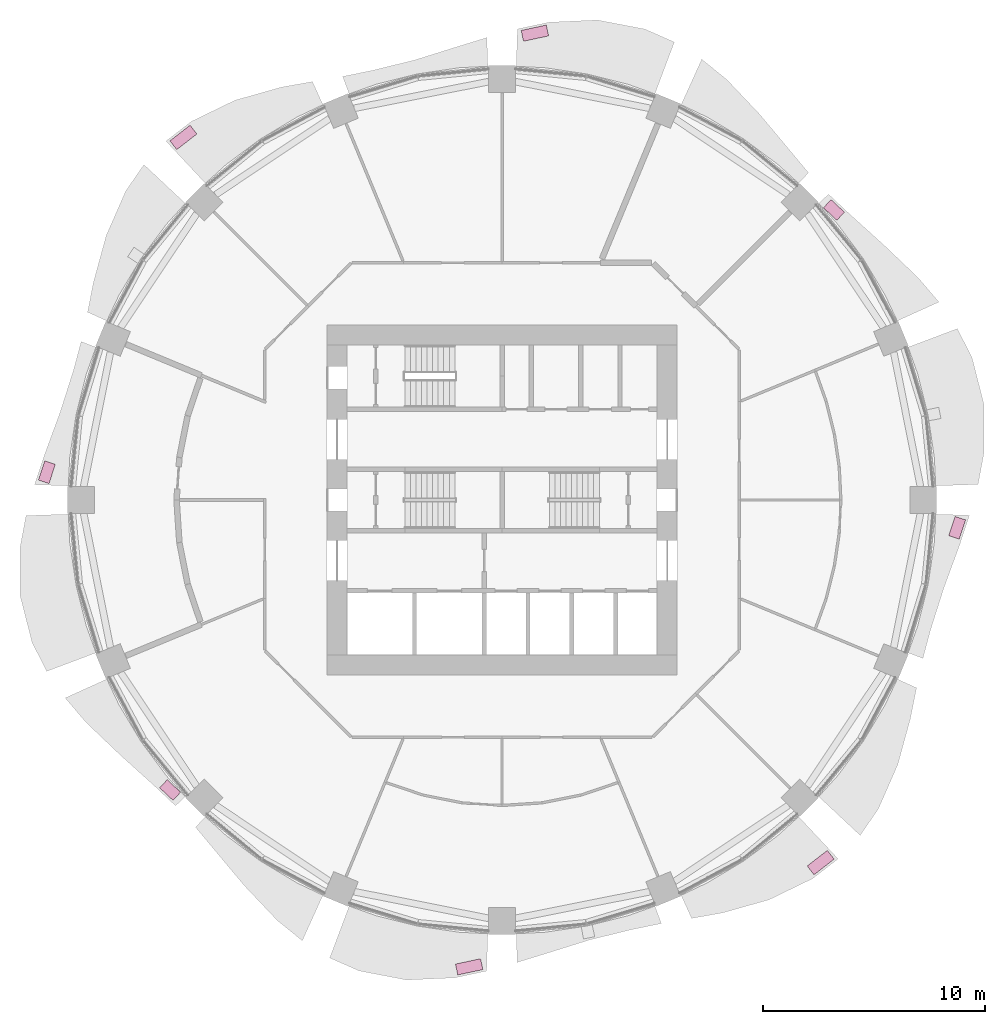
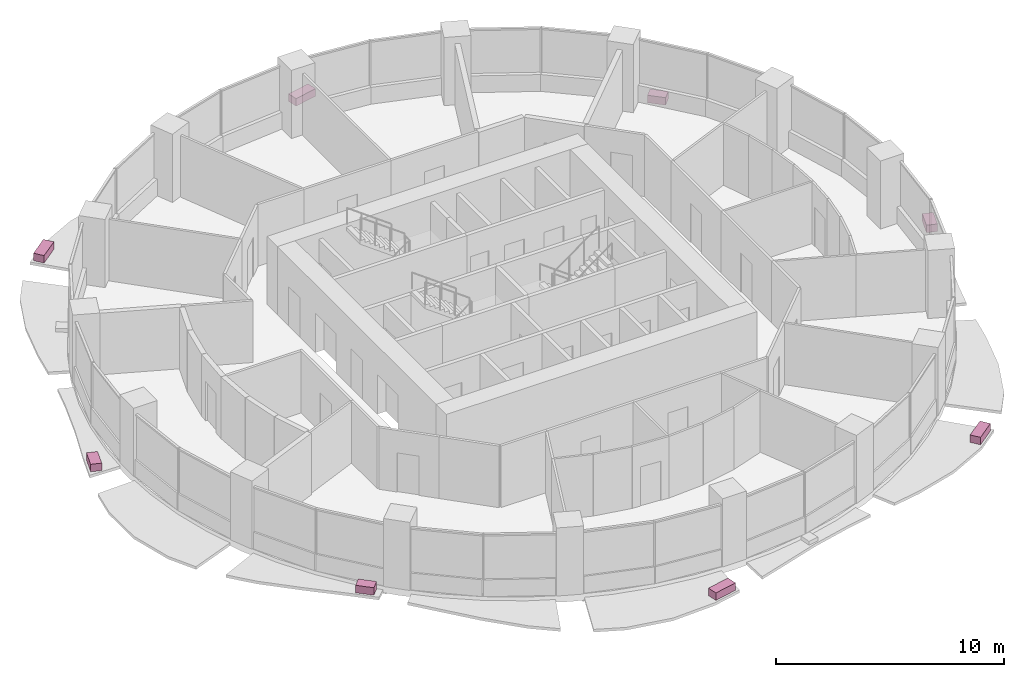
# One storey, part 15 of 15: 8 furniture elements.
"""IFC4 building model written with IfcOpenShell, lengths in metres."""

from ifc_helpers import new_model, si_unit, direction, frame, origin, origin_2d, place, context, subcontext, project, spatial, rectangle, extrude, material, type_object, element, save


model = new_model("IFC4")

# Units and contexts
model_context = context("Model", 3, precision=1e-05, world=origin(), true_north=direction((0.0, 1.0)))
body_context = subcontext(model_context, "Body", "Model", "MODEL_VIEW")
ifc_project = project(units=[si_unit("LENGTHUNIT", "METRE"), si_unit("AREAUNIT", "SQUARE_METRE"), si_unit("VOLUMEUNIT", "CUBIC_METRE"), si_unit("PLANEANGLEUNIT", "RADIAN"), si_unit("MASSUNIT", "GRAM", prefix="KILO")], contexts=[model_context])

# Site, building, storey
site_placement = place(None, origin())
site = spatial("IfcSite", under=ifc_project, at=site_placement, CompositionType="ELEMENT")
building_placement = place(site_placement, origin())
building = spatial("IfcBuilding", under=site, at=building_placement, Name="Polderwave Tower", CompositionType="ELEMENT")
storey_placement = place(building_placement, frame((0.0, 0.0, 62.699951171875)))
storey = spatial("IfcBuildingStorey", under=building, at=storey_placement, Name="L16", CompositionType="ELEMENT", Elevation=62.699951171875)

# Furniture
ifc_material = material(Name="Terracotta", Category="masonry")
furniture_type = type_object("IfcFurnitureType", Name="Terracotta planting trough", AssemblyPlace="NOTDEFINED", PredefinedType="USERDEFINED", material=ifc_material)
furniture_1_placement = place(storey_placement, frame((14.930419921875, 13.046142578125, -0.199951171875), z_axis=(0.0, 0.0, 1.0), x_axis=(-0.72868660221, 0.684847308354, 0.0)))
element("IfcFurniture", 1, at=furniture_1_placement, inside=storey, type_object=furniture_type, Name="Planting trough L16 2", ObjectType="PLANTER", PredefinedType="USERDEFINED", context=body_context, shape_type="SweptSolid", body=[
    extrude(rectangle(XDim=0.82763671875, YDim=0.5, at=origin_2d()), origin(), (0.0, 0.0, 1.0), 0.39990234375),
])
furniture_2_placement = place(storey_placement, frame((1.47802734375, 20.998291015625, -0.199951171875), z_axis=(0.0, 0.0, 1.0), x_axis=(-0.978005489109, -0.208579153495, 0.0)))
element("IfcFurniture", 2, at=furniture_2_placement, inside=storey, type_object=furniture_type, Name="Planting trough L16 4", ObjectType="PLANTER", PredefinedType="USERDEFINED", context=body_context, shape_type="SweptSolid", body=[
    extrude(rectangle(XDim=1.155517578125, YDim=0.5, at=origin_2d()), origin(), (0.0, 0.0, 1.0), 0.39990234375),
])
furniture_3_placement = place(storey_placement, frame((-14.332275390625, 16.308837890625, -0.199951171875), z_axis=(0.0, 0.0, 1.0), x_axis=(-0.789690525258, -0.613505398768, 0.0)))
element("IfcFurniture", 3, at=furniture_3_placement, inside=storey, type_object=furniture_type, Name="Planting trough L16 6", ObjectType="PLANTER", PredefinedType="USERDEFINED", context=body_context, shape_type="SweptSolid", body=[
    extrude(rectangle(XDim=1.1474609375, YDim=0.5, at=origin_2d()), origin(), (0.0, 0.0, 1.0), 0.39990234375),
])
furniture_4_placement = place(storey_placement, frame((-20.472900390625, 1.247802734375, -0.199951171875), z_axis=(0.0, 0.0, 1.0), x_axis=(-0.313869830905, -0.949466023219, 0.0)))
element("IfcFurniture", 4, at=furniture_4_placement, inside=storey, type_object=furniture_type, Name="Planting trough L16 8", ObjectType="PLANTER", PredefinedType="USERDEFINED", context=body_context, shape_type="SweptSolid", body=[
    extrude(rectangle(XDim=0.91064453125, YDim=0.5, at=origin_2d()), origin(), (0.0, 0.0, 1.0), 0.39990234375),
])
furniture_5_placement = place(storey_placement, frame((-14.930419921875, -13.046142578125, -0.199951171875), z_axis=(0.0, 0.0, 1.0), x_axis=(0.72868660221, -0.684847308354, 0.0)))
element("IfcFurniture", 5, at=furniture_5_placement, inside=storey, type_object=furniture_type, Name="Planting trough L16 10", ObjectType="PLANTER", PredefinedType="USERDEFINED", context=body_context, shape_type="SweptSolid", body=[
    extrude(rectangle(XDim=0.82763671875, YDim=0.5, at=origin_2d()), origin(), (0.0, 0.0, 1.0), 0.39990234375),
])
furniture_6_placement = place(storey_placement, frame((-1.47802734375, -20.998291015625, -0.199951171875), z_axis=(0.0, 0.0, 1.0), x_axis=(0.978005489109, 0.208579153495, 0.0)))
element("IfcFurniture", 6, at=furniture_6_placement, inside=storey, type_object=furniture_type, Name="Planting trough L16 12", ObjectType="PLANTER", PredefinedType="USERDEFINED", context=body_context, shape_type="SweptSolid", body=[
    extrude(rectangle(XDim=1.155517578125, YDim=0.5, at=origin_2d()), origin(), (0.0, 0.0, 1.0), 0.39990234375),
])
furniture_7_placement = place(storey_placement, frame((14.332275390625, -16.308837890625, -0.199951171875), z_axis=(0.0, 0.0, 1.0), x_axis=(0.789690525258, 0.613505398768, 0.0)))
element("IfcFurniture", 7, at=furniture_7_placement, inside=storey, type_object=furniture_type, Name="Planting trough L16 14", ObjectType="PLANTER", PredefinedType="USERDEFINED", context=body_context, shape_type="SweptSolid", body=[
    extrude(rectangle(XDim=1.1474609375, YDim=0.5, at=origin_2d()), origin(), (0.0, 0.0, 1.0), 0.39990234375),
])
furniture_8_placement = place(storey_placement, frame((20.472900390625, -1.247802734375, -0.199951171875), z_axis=(0.0, 0.0, 1.0), x_axis=(0.313869830905, 0.949466023219, 0.0)))
element("IfcFurniture", 8, at=furniture_8_placement, inside=storey, type_object=furniture_type, Name="Planting trough L16 16", ObjectType="PLANTER", PredefinedType="USERDEFINED", context=body_context, shape_type="SweptSolid", body=[
    extrude(rectangle(XDim=0.91064453125, YDim=0.5, at=origin_2d()), origin(), (0.0, 0.0, 1.0), 0.39990234375),
])

save(model, "model.ifc")
